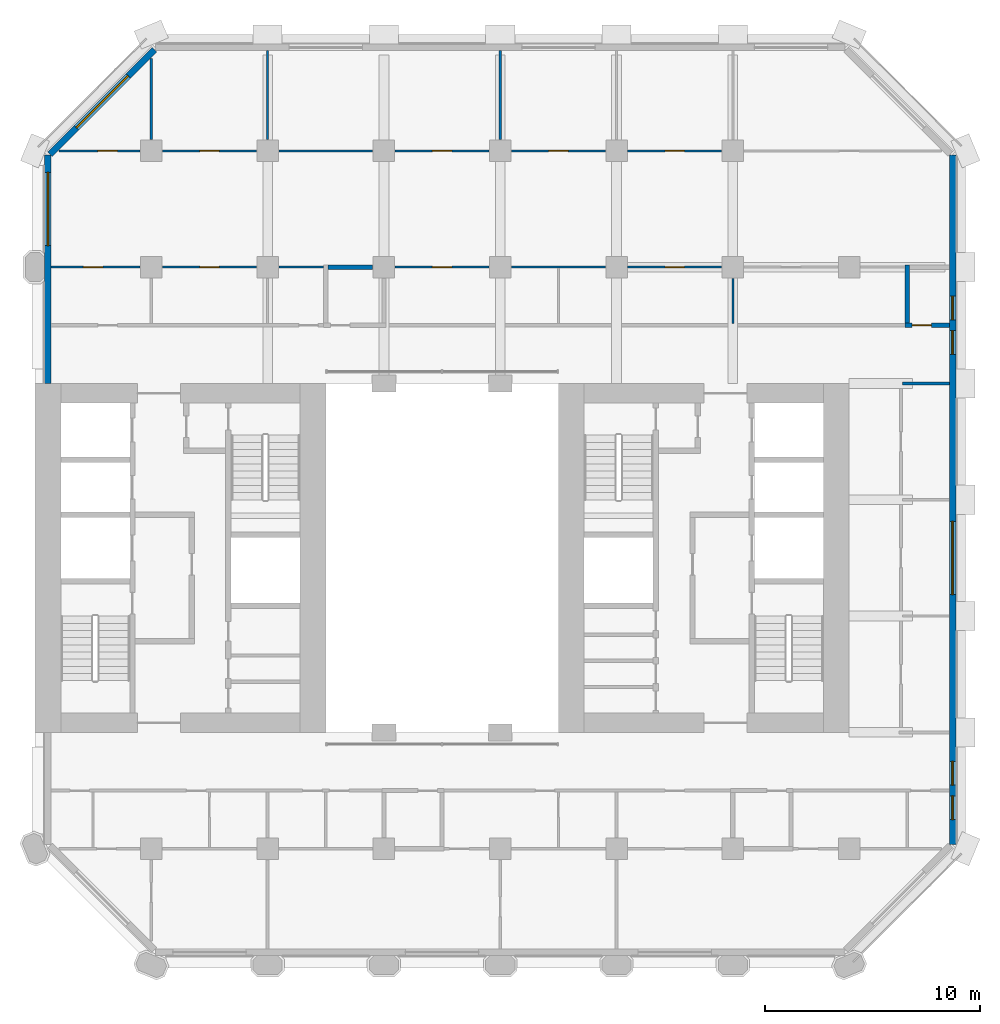
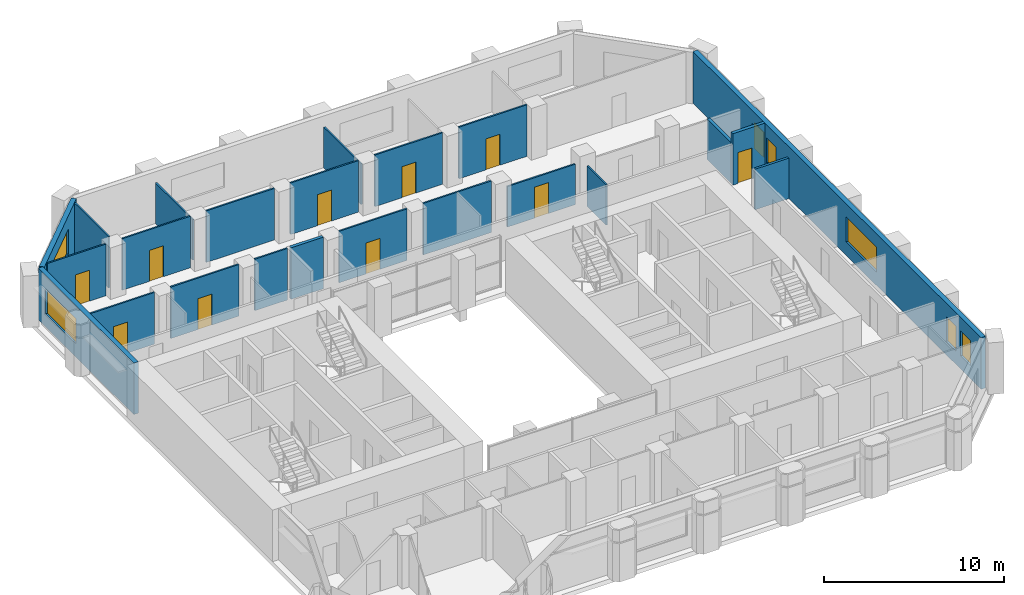
# One storey, part 7 of 11: 23 walls, 10 doors, 7 windows, 17 openings.
"""IFC4 building model written with IfcOpenShell, lengths in metres."""

from ifc_helpers import new_model, si_unit, direction, frame, frame_2d, origin, place, context, subcontext, project, spatial, rectangle, extrude, material, layer, layer_set, type_object, element, fill, save


model = new_model("IFC4")

# Units and contexts
model_context = context("Model", 3, precision=1e-05, world=origin(), true_north=direction((0.0, 1.0)))
body_context = subcontext(model_context, "Body", "Model", "MODEL_VIEW")
ifc_project = project(units=[si_unit("LENGTHUNIT", "METRE"), si_unit("AREAUNIT", "SQUARE_METRE"), si_unit("VOLUMEUNIT", "CUBIC_METRE"), si_unit("PLANEANGLEUNIT", "RADIAN"), si_unit("MASSUNIT", "GRAM", prefix="KILO")], contexts=[model_context])

# Site, building, storey
site_placement = place(None, origin())
site = spatial("IfcSite", under=ifc_project, at=site_placement, CompositionType="ELEMENT")
building_placement = place(site_placement, origin())
building = spatial("IfcBuilding", under=site, at=building_placement, Name="Tabaq Tower and Sports Hall", CompositionType="ELEMENT")
storey_placement = place(building_placement, frame((0.0, 0.0, 72.60009765625)))
storey = spatial("IfcBuildingStorey", under=building, at=storey_placement, Name="L16", CompositionType="ELEMENT", Elevation=72.60009765625)

# Wall, opening, door
ifc_material_1 = material(Name="Blockwork", Category="masonry")
ifc_layer_1 = layer(ifc_material_1, 0.199951171875)
ifc_layer_set_1 = layer_set([ifc_layer_1], Name="Fire compartment wall 200 Blockwork")
wall_type_1 = type_object("IfcWallType", Name="Fire compartment wall 200 Blockwork", PredefinedType="PARTITIONING", material=ifc_layer_set_1)
wall_1_placement = place(storey_placement, frame((47.84912109375, 35.10009765625, 0.0), z_axis=(0.0, 0.0, 1.0), x_axis=(-1.0, 0.0, 0.0)))
wall_1 = element("IfcWall", 1, at=wall_1_placement, inside=storey, type_object=wall_type_1, Name="Compartment wall L16", PredefinedType="PARTITIONING", context=body_context, shape_type="SweptSolid", body=[
    extrude(rectangle(XDim=2.049072265625, YDim=0.199951171875, at=frame_2d((1.0244140625, 0.0))), origin(), (0.0, 0.0, 1.0), 3.5),
])
opening_1_placement = place(wall_1_placement, frame((0.8291015625, 0.0, 0.0)))
opening_1 = element("IfcOpeningElement", 2, at=opening_1_placement, cuts=wall_1, Name="Opening L16-003", PredefinedType="OPENING", context=body_context, shape_type="SweptSolid", body=[
    extrude(rectangle(XDim=0.89990234375, YDim=2.10009765625, at=frame_2d((0.449951171875, 1.050048828125))), frame((0.0, 0.10009765625, 0.0), z_axis=(0.0, -1.0, 0.0), x_axis=(1.0, 0.0, 0.0)), (0.0, 0.0, 1.0), 0.199951171875),
])
ifc_material_2 = material(Name="Steel fire door", Category="steel")
door_type_1 = type_object("IfcDoorType", Name="Plant room door 900 left hand", OperationType="SINGLE_SWING_LEFT", PredefinedType="DOOR", material=ifc_material_2)
door_1_placement = place(opening_1_placement, origin())
door_1 = element("IfcDoor", 3, at=door_1_placement, inside=storey, type_object=door_type_1, Name="Plant room door L16-003", OperationType="SINGLE_SWING_LEFT", OverallHeight=2.10009765625, OverallWidth=0.89990234375, PredefinedType="DOOR", context=body_context, shape_type="SweptSolid", body=[
    extrude(rectangle(XDim=0.89990234375, YDim=2.10009765625, at=frame_2d((0.449951171875, 1.050048828125))), frame((0.0, 0.02490234375, 0.0), z_axis=(0.0, -1.0, 0.0), x_axis=(1.0, 0.0, 0.0)), (0.0, 0.0, 1.0), 0.050048828125),
])
fill(opening_1, door_1)

# Walls
wall_2_placement = place(storey_placement, frame((21.080078125, 37.800048828125, 0.0), z_axis=(0.0, 0.0, 1.0), x_axis=(-1.0, 0.0, 0.0)))
element("IfcWall", 4, at=wall_2_placement, inside=storey, type_object=wall_type_1, Name="Compartment wall L16", PredefinedType="PARTITIONING", context=body_context, shape_type="SweptSolid", body=[
    extrude(rectangle(XDim=2.080078125, YDim=0.199951171875, at=frame_2d((1.0400390625, 0.0))), origin(), (0.0, 0.0, 1.0), 3.5),
])
wall_3_placement = place(storey_placement, frame((45.89990234375, 35.199951171875, 0.0), z_axis=(0.0, 0.0, 1.0), x_axis=(0.0, 1.0, 0.0)))
element("IfcWall", 5, at=wall_3_placement, inside=storey, type_object=wall_type_1, Name="Compartment wall L16", PredefinedType="PARTITIONING", context=body_context, shape_type="SweptSolid", body=[
    extrude(rectangle(XDim=2.699951171875, YDim=0.199951171875, at=frame_2d((1.35009765625, 0.0))), origin(), (0.0, 0.0, 1.0), 2.75),
])

# Wall, opening, door
ifc_material_3 = material(Name="Gypsum board on steel studs", Category="steel")
ifc_layer_2 = layer(ifc_material_3, 0.10009765625)
ifc_layer_set_2 = layer_set([ifc_layer_2], Name="Partition 100 Gypsum board")
wall_type_2 = type_object("IfcWallType", Name="Partition 100 Gypsum board", PredefinedType="PARTITIONING", material=ifc_layer_set_2)
wall_4_placement = place(storey_placement, frame((10.280029296875, 37.800048828125, 0.0), z_axis=(0.0, 0.0, 1.0), x_axis=(-1.0, 0.0, 0.0)))
wall_4 = element("IfcWall", 6, at=wall_4_placement, inside=storey, type_object=wall_type_2, Name="Partition wall L16", PredefinedType="PARTITIONING", context=body_context, shape_type="SweptSolid", body=[
    extrude(rectangle(XDim=4.129150390625, YDim=0.10009765625, at=frame_2d((2.064453125, 0.0))), origin(), (0.0, 0.0, 1.0), 3.5),
])
opening_2_placement = place(wall_4_placement, frame((1.72998046875, 0.0, 0.0)))
opening_2 = element("IfcOpeningElement", 7, at=opening_2_placement, cuts=wall_4, Name="Opening L16-030", PredefinedType="OPENING", context=body_context, shape_type="SweptSolid", body=[
    extrude(rectangle(XDim=0.89990234375, YDim=2.10009765625, at=frame_2d((0.449951171875, 1.050048828125))), frame((0.0, 0.050048828125, 0.0), z_axis=(0.0, -1.0, 0.0), x_axis=(1.0, 0.0, 0.0)), (0.0, 0.0, 1.0), 0.10009765625),
])
ifc_material_4 = material(Name="Timber leaf in steel frame", Category="steel")
door_type_2 = type_object("IfcDoorType", Name="Internal door 900 left hand", OperationType="SINGLE_SWING_LEFT", PredefinedType="DOOR", material=ifc_material_4)
door_2_placement = place(opening_2_placement, origin())
door_2 = element("IfcDoor", 8, at=door_2_placement, inside=storey, type_object=door_type_2, Name="Internal door L16-030", OperationType="SINGLE_SWING_LEFT", OverallHeight=2.10009765625, OverallWidth=0.89990234375, PredefinedType="DOOR", context=body_context, shape_type="SweptSolid", body=[
    extrude(rectangle(XDim=0.89990234375, YDim=2.10009765625, at=frame_2d((0.449951171875, 1.050048828125))), frame((0.0, 0.02490234375, 0.0), z_axis=(0.0, -1.0, 0.0), x_axis=(1.0, 0.0, 0.0)), (0.0, 0.0, 1.0), 0.050048828125),
])
fill(opening_2, door_2)

wall_5_placement = place(storey_placement, frame((15.679931640625, 37.800048828125, 0.0), z_axis=(0.0, 0.0, 1.0), x_axis=(-1.0, 0.0, 0.0)))
wall_5 = element("IfcWall", 9, at=wall_5_placement, inside=storey, type_object=wall_type_2, Name="Partition wall L16", PredefinedType="PARTITIONING", context=body_context, shape_type="SweptSolid", body=[
    extrude(rectangle(XDim=4.35986328125, YDim=0.10009765625, at=frame_2d((2.179931640625, 0.0))), origin(), (0.0, 0.0, 1.0), 3.5),
])
opening_3_placement = place(wall_5_placement, frame((1.72998046875, 0.0, 0.0)))
opening_3 = element("IfcOpeningElement", 10, at=opening_3_placement, cuts=wall_5, Name="Opening L16-013", PredefinedType="OPENING", context=body_context, shape_type="SweptSolid", body=[
    extrude(rectangle(XDim=0.89990234375, YDim=2.10009765625, at=frame_2d((0.449951171875, 1.050048828125))), frame((0.0, 0.050048828125, 0.0), z_axis=(0.0, -1.0, 0.0), x_axis=(1.0, 0.0, 0.0)), (0.0, 0.0, 1.0), 0.10009765625),
])
ifc_material_5 = material(Name="Timber leaf in steel frame", Category="steel")
door_type_3 = type_object("IfcDoorType", Name="Internal door 900 right hand", OperationType="SINGLE_SWING_RIGHT", PredefinedType="DOOR", material=ifc_material_5)
door_3_placement = place(opening_3_placement, origin())
door_3 = element("IfcDoor", 11, at=door_3_placement, inside=storey, type_object=door_type_3, Name="Internal door L16-013", OperationType="SINGLE_SWING_RIGHT", OverallHeight=2.10009765625, OverallWidth=0.89990234375, PredefinedType="DOOR", context=body_context, shape_type="SweptSolid", body=[
    extrude(rectangle(XDim=0.89990234375, YDim=2.10009765625, at=frame_2d((0.449951171875, 1.050048828125))), frame((0.0, 0.02490234375, 0.0), z_axis=(0.0, -1.0, 0.0), x_axis=(1.0, 0.0, 0.0)), (0.0, 0.0, 1.0), 0.050048828125),
])
fill(opening_3, door_3)

# Wall
wall_6_placement = place(storey_placement, frame((18.800048828125, 37.800048828125, 0.0), z_axis=(0.0, 0.0, 1.0), x_axis=(-1.0, 0.0, 0.0)))
element("IfcWall", 12, at=wall_6_placement, inside=storey, type_object=wall_type_2, Name="Partition wall L16", PredefinedType="PARTITIONING", context=body_context, shape_type="SweptSolid", body=[
    extrude(rectangle(XDim=2.080078125, YDim=0.10009765625, at=frame_2d((1.0400390625, 0.0))), origin(), (0.0, 0.0, 1.0), 3.5),
])

# Wall, opening, door
wall_7_placement = place(storey_placement, frame((26.47998046875, 37.800048828125, 0.0), z_axis=(0.0, 0.0, 1.0), x_axis=(-1.0, 0.0, 0.0)))
wall_7 = element("IfcWall", 13, at=wall_7_placement, inside=storey, type_object=wall_type_2, Name="Partition wall L16", PredefinedType="PARTITIONING", context=body_context, shape_type="SweptSolid", body=[
    extrude(rectangle(XDim=4.35986328125, YDim=0.10009765625, at=frame_2d((2.179931640625, 0.0))), origin(), (0.0, 0.0, 1.0), 3.5),
])
opening_4_placement = place(wall_7_placement, frame((1.72998046875, 0.0, 0.0)))
opening_4 = element("IfcOpeningElement", 14, at=opening_4_placement, cuts=wall_7, Name="Opening L16-014", PredefinedType="OPENING", context=body_context, shape_type="SweptSolid", body=[
    extrude(rectangle(XDim=0.89990234375, YDim=2.10009765625, at=frame_2d((0.449951171875, 1.050048828125))), frame((0.0, 0.050048828125, 0.0), z_axis=(0.0, -1.0, 0.0), x_axis=(1.0, 0.0, 0.0)), (0.0, 0.0, 1.0), 0.10009765625),
])
door_4_placement = place(opening_4_placement, origin())
door_4 = element("IfcDoor", 15, at=door_4_placement, inside=storey, type_object=door_type_3, Name="Internal door L16-014", OperationType="SINGLE_SWING_RIGHT", OverallHeight=2.10009765625, OverallWidth=0.89990234375, PredefinedType="DOOR", context=body_context, shape_type="SweptSolid", body=[
    extrude(rectangle(XDim=0.89990234375, YDim=2.10009765625, at=frame_2d((0.449951171875, 1.050048828125))), frame((0.0, 0.02490234375, 0.0), z_axis=(0.0, -1.0, 0.0), x_axis=(1.0, 0.0, 0.0)), (0.0, 0.0, 1.0), 0.050048828125),
])
fill(opening_4, door_4)

# Wall
wall_8_placement = place(storey_placement, frame((37.800048828125, 35.175048828125, 0.0), z_axis=(0.0, 0.0, 1.0), x_axis=(0.0, 1.0, 0.0)))
element("IfcWall", 16, at=wall_8_placement, inside=storey, type_object=wall_type_2, Name="Partition wall L16", PredefinedType="PARTITIONING", context=body_context, shape_type="SweptSolid", body=[
    extrude(rectangle(XDim=2.10498046875, YDim=0.10009765625, at=frame_2d((1.052490234375, 0.0))), origin(), (0.0, 0.0, 1.0), 2.75),
])

# Wall, opening, door
wall_9_placement = place(storey_placement, frame((37.280029296875, 37.800048828125, 0.0), z_axis=(0.0, 0.0, 1.0), x_axis=(-1.0, 0.0, 0.0)))
wall_9 = element("IfcWall", 17, at=wall_9_placement, inside=storey, type_object=wall_type_2, Name="Partition wall L16", PredefinedType="PARTITIONING", context=body_context, shape_type="SweptSolid", body=[
    extrude(rectangle(XDim=4.360107421875, YDim=0.10009765625, at=frame_2d((2.18017578125, 0.0))), origin(), (0.0, 0.0, 1.0), 2.75),
])
opening_5_placement = place(wall_9_placement, frame((1.72998046875, 0.0, 0.0)))
opening_5 = element("IfcOpeningElement", 18, at=opening_5_placement, cuts=wall_9, Name="Opening L16-015", PredefinedType="OPENING", context=body_context, shape_type="SweptSolid", body=[
    extrude(rectangle(XDim=0.89990234375, YDim=2.10009765625, at=frame_2d((0.449951171875, 1.050048828125))), frame((0.0, 0.050048828125, 0.0), z_axis=(0.0, -1.0, 0.0), x_axis=(1.0, 0.0, 0.0)), (0.0, 0.0, 1.0), 0.10009765625),
])
door_5_placement = place(opening_5_placement, origin())
door_5 = element("IfcDoor", 19, at=door_5_placement, inside=storey, type_object=door_type_2, Name="Internal door L16-015", OperationType="SINGLE_SWING_LEFT", OverallHeight=2.10009765625, OverallWidth=0.89990234375, PredefinedType="DOOR", context=body_context, shape_type="SweptSolid", body=[
    extrude(rectangle(XDim=0.89990234375, YDim=2.10009765625, at=frame_2d((0.449951171875, 1.050048828125))), frame((0.0, 0.02490234375, 0.0), z_axis=(0.0, -1.0, 0.0), x_axis=(1.0, 0.0, 0.0)), (0.0, 0.0, 1.0), 0.050048828125),
])
fill(opening_5, door_5)

# Wall
wall_10_placement = place(storey_placement, frame((31.8798828125, 37.800048828125, 0.0), z_axis=(0.0, 0.0, 1.0), x_axis=(-1.0, 0.0, 0.0)))
element("IfcWall", 20, at=wall_10_placement, inside=storey, type_object=wall_type_2, Name="Partition wall L16", PredefinedType="PARTITIONING", context=body_context, shape_type="SweptSolid", body=[
    extrude(rectangle(XDim=4.35986328125, YDim=0.10009765625, at=frame_2d((2.179931640625, 0.0))), origin(), (0.0, 0.0, 1.0), 3.5),
])

# Wall, opening, door
wall_11_placement = place(storey_placement, frame((37.280029296875, 43.199951171875, 0.0), z_axis=(0.0, 0.0, 1.0), x_axis=(-1.0, 0.0, 0.0)))
wall_11 = element("IfcWall", 21, at=wall_11_placement, inside=storey, type_object=wall_type_2, Name="Partition wall L16", PredefinedType="PARTITIONING", context=body_context, shape_type="SweptSolid", body=[
    extrude(rectangle(XDim=4.360107421875, YDim=0.10009765625, at=frame_2d((2.18017578125, 0.0))), origin(), (0.0, 0.0, 1.0), 3.5),
])
opening_6_placement = place(wall_11_placement, frame((1.72998046875, 0.0, 0.0)))
opening_6 = element("IfcOpeningElement", 22, at=opening_6_placement, cuts=wall_11, Name="Opening L16-021", PredefinedType="OPENING", context=body_context, shape_type="SweptSolid", body=[
    extrude(rectangle(XDim=0.89990234375, YDim=2.10009765625, at=frame_2d((0.449951171875, 1.050048828125))), frame((0.0, 0.050048828125, 0.0), z_axis=(0.0, -1.0, 0.0), x_axis=(1.0, 0.0, 0.0)), (0.0, 0.0, 1.0), 0.10009765625),
])
door_6_placement = place(opening_6_placement, origin())
door_6 = element("IfcDoor", 23, at=door_6_placement, inside=storey, type_object=door_type_2, Name="Internal door L16-021", OperationType="SINGLE_SWING_LEFT", OverallHeight=2.10009765625, OverallWidth=0.89990234375, PredefinedType="DOOR", context=body_context, shape_type="SweptSolid", body=[
    extrude(rectangle(XDim=0.89990234375, YDim=2.10009765625, at=frame_2d((0.449951171875, 1.050048828125))), frame((0.0, 0.02490234375, 0.0), z_axis=(0.0, -1.0, 0.0), x_axis=(1.0, 0.0, 0.0)), (0.0, 0.0, 1.0), 0.050048828125),
])
fill(opening_6, door_6)

wall_12_placement = place(storey_placement, frame((31.8798828125, 43.199951171875, 0.0), z_axis=(0.0, 0.0, 1.0), x_axis=(-1.0, 0.0, 0.0)))
wall_12 = element("IfcWall", 24, at=wall_12_placement, inside=storey, type_object=wall_type_2, Name="Partition wall L16", PredefinedType="PARTITIONING", context=body_context, shape_type="SweptSolid", body=[
    extrude(rectangle(XDim=4.35986328125, YDim=0.10009765625, at=frame_2d((2.179931640625, 0.0))), origin(), (0.0, 0.0, 1.0), 3.5),
])
opening_7_placement = place(wall_12_placement, frame((1.72998046875, 0.0, 0.0)))
opening_7 = element("IfcOpeningElement", 25, at=opening_7_placement, cuts=wall_12, Name="Opening L16-020", PredefinedType="OPENING", context=body_context, shape_type="SweptSolid", body=[
    extrude(rectangle(XDim=0.89990234375, YDim=2.10009765625, at=frame_2d((0.449951171875, 1.050048828125))), frame((0.0, 0.050048828125, 0.0), z_axis=(0.0, -1.0, 0.0), x_axis=(1.0, 0.0, 0.0)), (0.0, 0.0, 1.0), 0.10009765625),
])
door_7_placement = place(opening_7_placement, origin())
door_7 = element("IfcDoor", 26, at=door_7_placement, inside=storey, type_object=door_type_3, Name="Internal door L16-020", OperationType="SINGLE_SWING_RIGHT", OverallHeight=2.10009765625, OverallWidth=0.89990234375, PredefinedType="DOOR", context=body_context, shape_type="SweptSolid", body=[
    extrude(rectangle(XDim=0.89990234375, YDim=2.10009765625, at=frame_2d((0.449951171875, 1.050048828125))), frame((0.0, 0.02490234375, 0.0), z_axis=(0.0, -1.0, 0.0), x_axis=(1.0, 0.0, 0.0)), (0.0, 0.0, 1.0), 0.050048828125),
])
fill(opening_7, door_7)

wall_13_placement = place(storey_placement, frame((26.47998046875, 43.199951171875, 0.0), z_axis=(0.0, 0.0, 1.0), x_axis=(-1.0, 0.0, 0.0)))
wall_13 = element("IfcWall", 27, at=wall_13_placement, inside=storey, type_object=wall_type_2, Name="Partition wall L16", PredefinedType="PARTITIONING", context=body_context, shape_type="SweptSolid", body=[
    extrude(rectangle(XDim=4.35986328125, YDim=0.10009765625, at=frame_2d((2.179931640625, 0.0))), origin(), (0.0, 0.0, 1.0), 3.5),
])
opening_8_placement = place(wall_13_placement, frame((1.72998046875, 0.0, 0.0)))
opening_8 = element("IfcOpeningElement", 28, at=opening_8_placement, cuts=wall_13, Name="Opening L16-019", PredefinedType="OPENING", context=body_context, shape_type="SweptSolid", body=[
    extrude(rectangle(XDim=0.89990234375, YDim=2.10009765625, at=frame_2d((0.449951171875, 1.050048828125))), frame((0.0, 0.050048828125, 0.0), z_axis=(0.0, -1.0, 0.0), x_axis=(1.0, 0.0, 0.0)), (0.0, 0.0, 1.0), 0.10009765625),
])
door_8_placement = place(opening_8_placement, origin())
door_8 = element("IfcDoor", 29, at=door_8_placement, inside=storey, type_object=door_type_3, Name="Internal door L16-019", OperationType="SINGLE_SWING_RIGHT", OverallHeight=2.10009765625, OverallWidth=0.89990234375, PredefinedType="DOOR", context=body_context, shape_type="SweptSolid", body=[
    extrude(rectangle(XDim=0.89990234375, YDim=2.10009765625, at=frame_2d((0.449951171875, 1.050048828125))), frame((0.0, 0.02490234375, 0.0), z_axis=(0.0, -1.0, 0.0), x_axis=(1.0, 0.0, 0.0)), (0.0, 0.0, 1.0), 0.050048828125),
])
fill(opening_8, door_8)

# Wall
wall_14_placement = place(storey_placement, frame((21.080078125, 43.199951171875, 0.0), z_axis=(0.0, 0.0, 1.0), x_axis=(-1.0, 0.0, 0.0)))
element("IfcWall", 30, at=wall_14_placement, inside=storey, type_object=wall_type_2, Name="Partition wall L16", PredefinedType="PARTITIONING", context=body_context, shape_type="SweptSolid", body=[
    extrude(rectangle(XDim=4.360107421875, YDim=0.10009765625, at=frame_2d((2.18017578125, 0.0))), origin(), (0.0, 0.0, 1.0), 3.5),
])

# Wall, opening, door
wall_15_placement = place(storey_placement, frame((15.679931640625, 43.199951171875, 0.0), z_axis=(0.0, 0.0, 1.0), x_axis=(-1.0, 0.0, 0.0)))
wall_15 = element("IfcWall", 31, at=wall_15_placement, inside=storey, type_object=wall_type_2, Name="Partition wall L16", PredefinedType="PARTITIONING", context=body_context, shape_type="SweptSolid", body=[
    extrude(rectangle(XDim=4.35986328125, YDim=0.10009765625, at=frame_2d((2.179931640625, 0.0))), origin(), (0.0, 0.0, 1.0), 3.5),
])
opening_9_placement = place(wall_15_placement, frame((1.72998046875, 0.0, 0.0)))
opening_9 = element("IfcOpeningElement", 32, at=opening_9_placement, cuts=wall_15, Name="Opening L16-018", PredefinedType="OPENING", context=body_context, shape_type="SweptSolid", body=[
    extrude(rectangle(XDim=0.89990234375, YDim=2.10009765625, at=frame_2d((0.449951171875, 1.050048828125))), frame((0.0, 0.050048828125, 0.0), z_axis=(0.0, -1.0, 0.0), x_axis=(1.0, 0.0, 0.0)), (0.0, 0.0, 1.0), 0.10009765625),
])
door_9_placement = place(opening_9_placement, origin())
door_9 = element("IfcDoor", 33, at=door_9_placement, inside=storey, type_object=door_type_3, Name="Internal door L16-018", OperationType="SINGLE_SWING_RIGHT", OverallHeight=2.10009765625, OverallWidth=0.89990234375, PredefinedType="DOOR", context=body_context, shape_type="SweptSolid", body=[
    extrude(rectangle(XDim=0.89990234375, YDim=2.10009765625, at=frame_2d((0.449951171875, 1.050048828125))), frame((0.0, 0.02490234375, 0.0), z_axis=(0.0, -1.0, 0.0), x_axis=(1.0, 0.0, 0.0)), (0.0, 0.0, 1.0), 0.050048828125),
])
fill(opening_9, door_9)

wall_16_placement = place(storey_placement, frame((10.280029296875, 43.199951171875, 0.0), z_axis=(0.0, 0.0, 1.0), x_axis=(-1.0, 0.0, 0.0)))
wall_16 = element("IfcWall", 34, at=wall_16_placement, inside=storey, type_object=wall_type_2, Name="Partition wall L16", PredefinedType="PARTITIONING", context=body_context, shape_type="SweptSolid", body=[
    extrude(rectangle(XDim=3.767822265625, YDim=0.10009765625, at=frame_2d((1.8837890625, 0.0))), origin(), (0.0, 0.0, 1.0), 3.5),
])
opening_10_placement = place(wall_16_placement, frame((1.054931640625, 0.0, 0.0)))
opening_10 = element("IfcOpeningElement", 35, at=opening_10_placement, cuts=wall_16, Name="Opening L16-017", PredefinedType="OPENING", context=body_context, shape_type="SweptSolid", body=[
    extrude(rectangle(XDim=0.89990234375, YDim=2.10009765625, at=frame_2d((0.449951171875, 1.050048828125))), frame((0.0, 0.050048828125, 0.0), z_axis=(0.0, -1.0, 0.0), x_axis=(1.0, 0.0, 0.0)), (0.0, 0.0, 1.0), 0.10009765625),
])
door_10_placement = place(opening_10_placement, origin())
door_10 = element("IfcDoor", 36, at=door_10_placement, inside=storey, type_object=door_type_3, Name="Internal door L16-017", OperationType="SINGLE_SWING_RIGHT", OverallHeight=2.10009765625, OverallWidth=0.89990234375, PredefinedType="DOOR", context=body_context, shape_type="SweptSolid", body=[
    extrude(rectangle(XDim=0.89990234375, YDim=2.10009765625, at=frame_2d((0.449951171875, 1.050048828125))), frame((0.0, 0.02490234375, 0.0), z_axis=(0.0, -1.0, 0.0), x_axis=(1.0, 0.0, 0.0)), (0.0, 0.0, 1.0), 0.050048828125),
])
fill(opening_10, door_10)

# Walls
wall_17_placement = place(storey_placement, frame((10.800048828125, 43.719970703125, 0.0), z_axis=(0.0, 0.0, 1.0), x_axis=(0.0, 1.0, 0.0)))
element("IfcWall", 37, at=wall_17_placement, inside=storey, type_object=wall_type_2, Name="Partition wall L16", PredefinedType="PARTITIONING", context=body_context, shape_type="SweptSolid", body=[
    extrude(rectangle(XDim=3.767822265625, YDim=0.10009765625, at=frame_2d((1.8837890625, 0.0))), origin(), (0.0, 0.0, 1.0), 3.5),
])
for number, where, z_axis, x_axis, name in (
    (38, (16.199951171875, 43.719970703125, 0.0), (0.0, 0.0, 1.0), (0.0, 1.0, 0.0), "Partition wall L16"),
    (39, (27.0, 43.719970703125, 0.0), (0.0, 0.0, 1.0), (0.0, 1.0, 0.0), "Partition wall L16"),
):
    element("IfcWall", number, at=place(storey_placement, frame(where, z_axis=z_axis, x_axis=x_axis)), inside=storey, type_object=wall_type_2, Name=name, PredefinedType="PARTITIONING", context=body_context, shape_type="SweptSolid", body=[
        extrude(rectangle(XDim=4.129150390625, YDim=0.10009765625, at=frame_2d((2.064453125, 0.0))), origin(), (0.0, 0.0, 1.0), 2.75),
    ])
ifc_material_6 = material(Name="Blockwork", Category="masonry")
ifc_layer_3 = layer(ifc_material_6, 0.14990234375)
ifc_layer_set_3 = layer_set([ifc_layer_3], Name="Separating wall 150 Blockwork")
wall_type_3 = type_object("IfcWallType", Name="Separating wall 150 Blockwork", PredefinedType="PARTITIONING", material=ifc_layer_set_3)
wall_18_placement = place(storey_placement, frame((45.675048828125, 32.39990234375, 0.0), z_axis=(0.0, 0.0, 1.0), x_axis=(1.0, 0.0, 0.0)))
element("IfcWall", 40, at=wall_18_placement, inside=storey, type_object=wall_type_3, Name="Separating wall L16", PredefinedType="PARTITIONING", context=body_context, shape_type="SweptSolid", body=[
    extrude(rectangle(XDim=2.174072265625, YDim=0.14990234375, at=frame_2d((1.0869140625, 0.0))), origin(), (0.0, 0.0, 1.0), 2.75),
])

# Wall, openings, windows
ifc_material_7 = material(Name="White precast concrete C60/75", Category="concrete")
ifc_layer_4 = layer(ifc_material_7, 0.300048828125)
ifc_layer_set_4 = layer_set([ifc_layer_4], Name="White precast concrete C60/75 external wall 300")
wall_type_4 = type_object("IfcWallType", Name="White precast concrete C60/75 external wall 300", PredefinedType="SOLIDWALL", material=ifc_layer_set_4)
wall_19_placement = place(storey_placement, frame((48.0, 10.986328125, 0.0), z_axis=(0.0, 0.0, 1.0), x_axis=(0.0, 1.0, 0.0)))
wall_19 = element("IfcWall", 41, at=wall_19_placement, inside=storey, type_object=wall_type_4, Name="External Wall L16 E", PredefinedType="SOLIDWALL", context=body_context, shape_type="SweptSolid", body=[
    extrude(rectangle(XDim=32.02734375, YDim=0.300048828125, at=frame_2d((16.013671875, 0.0))), origin(), (0.0, 0.0, 1.0), 3.5),
])
opening_11_placement = place(wall_19_placement, frame((1.16357421875, 0.0, 0.89990234375)))
opening_11 = element("IfcOpeningElement", 42, at=opening_11_placement, cuts=wall_19, Name="Opening W1B", PredefinedType="OPENING", context=body_context, shape_type="SweptSolid", body=[
    extrude(rectangle(XDim=1.10009765625, YDim=1.699951171875, at=frame_2d((0.550048828125, 0.85009765625))), frame((0.0, 0.16015625, 0.0), z_axis=(0.0, -1.0, 0.0), x_axis=(1.0, 0.0, 0.0)), (0.0, 0.0, 1.0), 0.320068359375),
])
opening_12_placement = place(wall_19_placement, frame((2.763671875, 0.0, 0.89990234375)))
opening_12 = element("IfcOpeningElement", 43, at=opening_12_placement, cuts=wall_19, Name="Opening W1B", PredefinedType="OPENING", context=body_context, shape_type="SweptSolid", body=[
    extrude(rectangle(XDim=1.10009765625, YDim=1.699951171875, at=frame_2d((0.550048828125, 0.85009765625))), frame((0.0, 0.16015625, 0.0), z_axis=(0.0, -1.0, 0.0), x_axis=(1.0, 0.0, 0.0)), (0.0, 0.0, 1.0), 0.320068359375),
])
opening_13_placement = place(wall_19_placement, frame((11.613525390625, 0.0, 0.89990234375)))
opening_13 = element("IfcOpeningElement", 44, at=opening_13_placement, cuts=wall_19, Name="Opening W1A", PredefinedType="OPENING", context=body_context, shape_type="SweptSolid", body=[
    extrude(rectangle(XDim=3.39990234375, YDim=1.699951171875, at=frame_2d((1.699951171875, 0.85009765625))), frame((0.0, 0.16015625, 0.0), z_axis=(0.0, -1.0, 0.0), x_axis=(1.0, 0.0, 0.0)), (0.0, 0.0, 1.0), 0.320068359375),
])
opening_14_placement = place(wall_19_placement, frame((22.763671875, 0.0, 0.89990234375)))
opening_14 = element("IfcOpeningElement", 45, at=opening_14_placement, cuts=wall_19, Name="Opening W1B", PredefinedType="OPENING", context=body_context, shape_type="SweptSolid", body=[
    extrude(rectangle(XDim=1.10009765625, YDim=1.699951171875, at=frame_2d((0.550048828125, 0.85009765625))), frame((0.0, 0.16015625, 0.0), z_axis=(0.0, -1.0, 0.0), x_axis=(1.0, 0.0, 0.0)), (0.0, 0.0, 1.0), 0.320068359375),
])
opening_15_placement = place(wall_19_placement, frame((24.363525390625, 0.0, 0.89990234375)))
opening_15 = element("IfcOpeningElement", 46, at=opening_15_placement, cuts=wall_19, Name="Opening W1B", PredefinedType="OPENING", context=body_context, shape_type="SweptSolid", body=[
    extrude(rectangle(XDim=1.10009765625, YDim=1.699951171875, at=frame_2d((0.550048828125, 0.85009765625))), frame((0.0, 0.16015625, 0.0), z_axis=(0.0, -1.0, 0.0), x_axis=(1.0, 0.0, 0.0)), (0.0, 0.0, 1.0), 0.320068359375),
])
ifc_material_8 = material(Name="Aluminium framed clear glazing", Category="aluminium")
window_type_1 = type_object("IfcWindowType", Name="Window W1A", PartitioningType="SINGLE_PANEL", PredefinedType="WINDOW", material=ifc_material_8)
window_1_placement = place(opening_13_placement, origin())
window_1 = element("IfcWindow", 47, at=window_1_placement, inside=storey, type_object=window_type_1, Name="Window W1A L16", OverallHeight=1.699951171875, OverallWidth=3.39990234375, PartitioningType="SINGLE_PANEL", PredefinedType="WINDOW", context=body_context, shape_type="SweptSolid", body=[
    extrude(rectangle(XDim=3.39990234375, YDim=1.699951171875, at=frame_2d((1.699951171875, 0.85009765625))), frame((0.0, 0.030029296875, 0.0), z_axis=(0.0, -1.0, 0.0), x_axis=(1.0, 0.0, 0.0)), (0.0, 0.0, 1.0), 0.06005859375),
])
fill(opening_13, window_1)
ifc_material_9 = material(Name="Aluminium framed clear glazing", Category="aluminium")
window_type_2 = type_object("IfcWindowType", Name="Window W1B", PartitioningType="SINGLE_PANEL", PredefinedType="WINDOW", material=ifc_material_9)
window_2_placement = place(opening_11_placement, origin())
window_2 = element("IfcWindow", 48, at=window_2_placement, inside=storey, type_object=window_type_2, Name="Window W1B L16", OverallHeight=1.699951171875, OverallWidth=1.10009765625, PartitioningType="SINGLE_PANEL", PredefinedType="WINDOW", context=body_context, shape_type="SweptSolid", body=[
    extrude(rectangle(XDim=1.10009765625, YDim=1.699951171875, at=frame_2d((0.550048828125, 0.85009765625))), frame((0.0, 0.030029296875, 0.0), z_axis=(0.0, -1.0, 0.0), x_axis=(1.0, 0.0, 0.0)), (0.0, 0.0, 1.0), 0.06005859375),
])
fill(opening_11, window_2)
window_3_placement = place(opening_12_placement, origin())
window_3 = element("IfcWindow", 49, at=window_3_placement, inside=storey, type_object=window_type_2, Name="Window W1B L16", OverallHeight=1.699951171875, OverallWidth=1.10009765625, PartitioningType="SINGLE_PANEL", PredefinedType="WINDOW", context=body_context, shape_type="SweptSolid", body=[
    extrude(rectangle(XDim=1.10009765625, YDim=1.699951171875, at=frame_2d((0.550048828125, 0.85009765625))), frame((0.0, 0.030029296875, 0.0), z_axis=(0.0, -1.0, 0.0), x_axis=(1.0, 0.0, 0.0)), (0.0, 0.0, 1.0), 0.06005859375),
])
fill(opening_12, window_3)
window_4_placement = place(opening_14_placement, origin())
window_4 = element("IfcWindow", 50, at=window_4_placement, inside=storey, type_object=window_type_2, Name="Window W1B L16", OverallHeight=1.699951171875, OverallWidth=1.10009765625, PartitioningType="SINGLE_PANEL", PredefinedType="WINDOW", context=body_context, shape_type="SweptSolid", body=[
    extrude(rectangle(XDim=1.10009765625, YDim=1.699951171875, at=frame_2d((0.550048828125, 0.85009765625))), frame((0.0, 0.030029296875, 0.0), z_axis=(0.0, -1.0, 0.0), x_axis=(1.0, 0.0, 0.0)), (0.0, 0.0, 1.0), 0.06005859375),
])
fill(opening_14, window_4)
window_5_placement = place(opening_15_placement, origin())
window_5 = element("IfcWindow", 51, at=window_5_placement, inside=storey, type_object=window_type_2, Name="Window W1B L16", OverallHeight=1.699951171875, OverallWidth=1.10009765625, PartitioningType="SINGLE_PANEL", PredefinedType="WINDOW", context=body_context, shape_type="SweptSolid", body=[
    extrude(rectangle(XDim=1.10009765625, YDim=1.699951171875, at=frame_2d((0.550048828125, 0.85009765625))), frame((0.0, 0.030029296875, 0.0), z_axis=(0.0, -1.0, 0.0), x_axis=(1.0, 0.0, 0.0)), (0.0, 0.0, 1.0), 0.06005859375),
])
fill(opening_15, window_5)

# Wall, opening, window
wall_20_placement = place(storey_placement, frame((10.949462890625, 47.901123046875, 0.0), z_axis=(0.0, 0.0, 1.0), x_axis=(-0.707106781187, -0.707106781187, 0.0)))
wall_20 = element("IfcWall", 52, at=wall_20_placement, inside=storey, type_object=wall_type_4, Name="External Wall L16 NW", PredefinedType="SOLIDWALL", context=body_context, shape_type="SweptSolid", body=[
    extrude(rectangle(XDim=6.85986328125, YDim=0.300048828125, at=frame_2d((3.429931640625, 0.0))), origin(), (0.0, 0.0, 1.0), 3.5),
])
opening_16_placement = place(wall_20_placement, frame((1.729736328125, 0.0, 0.89990234375)))
opening_16 = element("IfcOpeningElement", 53, at=opening_16_placement, cuts=wall_20, Name="Opening W1A", PredefinedType="OPENING", context=body_context, shape_type="SweptSolid", body=[
    extrude(rectangle(XDim=3.39990234375, YDim=1.699951171875, at=frame_2d((1.699951171875, 0.85009765625))), frame((0.0, 0.16015625, 0.0), z_axis=(0.0, -1.0, 0.0), x_axis=(1.0, 0.0, 0.0)), (0.0, 0.0, 1.0), 0.320068359375),
])
window_6_placement = place(opening_16_placement, origin())
window_6 = element("IfcWindow", 54, at=window_6_placement, inside=storey, type_object=window_type_1, Name="Window W1A L16", OverallHeight=1.699951171875, OverallWidth=3.39990234375, PartitioningType="SINGLE_PANEL", PredefinedType="WINDOW", context=body_context, shape_type="SweptSolid", body=[
    extrude(rectangle(XDim=3.39990234375, YDim=1.699951171875, at=frame_2d((1.699951171875, 0.85009765625))), frame((0.0, 0.030029296875, 0.0), z_axis=(0.0, -1.0, 0.0), x_axis=(1.0, 0.0, 0.0)), (0.0, 0.0, 1.0), 0.06005859375),
])
fill(opening_16, window_6)

wall_21_placement = place(storey_placement, frame((6.0, 43.013671875, 0.0), z_axis=(0.0, 0.0, 1.0), x_axis=(0.0, -1.0, 0.0)))
wall_21 = element("IfcWall", 55, at=wall_21_placement, inside=storey, type_object=wall_type_4, Name="External Wall L16 W", PredefinedType="SOLIDWALL", context=body_context, shape_type="SweptSolid", body=[
    extrude(rectangle(XDim=10.61376953125, YDim=0.300048828125, at=frame_2d((5.306884765625, 0.0))), origin(), (0.0, 0.0, 1.0), 3.5),
])
opening_17_placement = place(wall_21_placement, frame((0.813720703125, 0.0, 0.89990234375)))
opening_17 = element("IfcOpeningElement", 56, at=opening_17_placement, cuts=wall_21, Name="Opening W1A", PredefinedType="OPENING", context=body_context, shape_type="SweptSolid", body=[
    extrude(rectangle(XDim=3.39990234375, YDim=1.699951171875, at=frame_2d((1.699951171875, 0.85009765625))), frame((0.0, 0.16015625, 0.0), z_axis=(0.0, -1.0, 0.0), x_axis=(1.0, 0.0, 0.0)), (0.0, 0.0, 1.0), 0.320068359375),
])
window_7_placement = place(opening_17_placement, origin())
window_7 = element("IfcWindow", 57, at=window_7_placement, inside=storey, type_object=window_type_1, Name="Window W1A L16", OverallHeight=1.699951171875, OverallWidth=3.39990234375, PartitioningType="SINGLE_PANEL", PredefinedType="WINDOW", context=body_context, shape_type="SweptSolid", body=[
    extrude(rectangle(XDim=3.39990234375, YDim=1.699951171875, at=frame_2d((1.699951171875, 0.85009765625))), frame((0.0, 0.030029296875, 0.0), z_axis=(0.0, -1.0, 0.0), x_axis=(1.0, 0.0, 0.0)), (0.0, 0.0, 1.0), 0.06005859375),
])
fill(opening_17, window_7)

save(model, "model.ifc")
